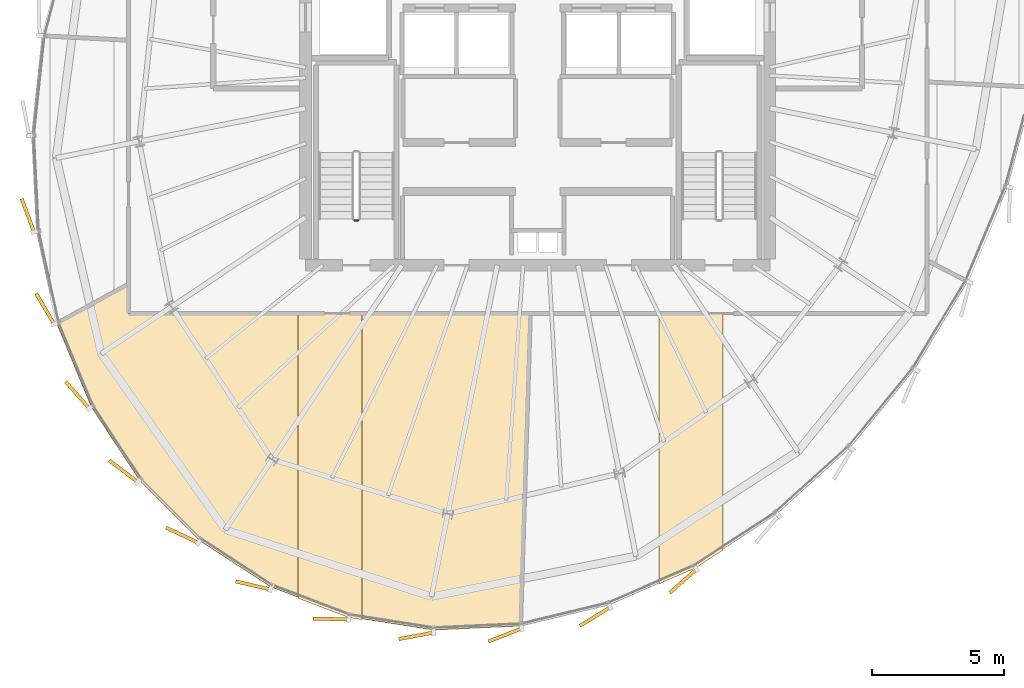
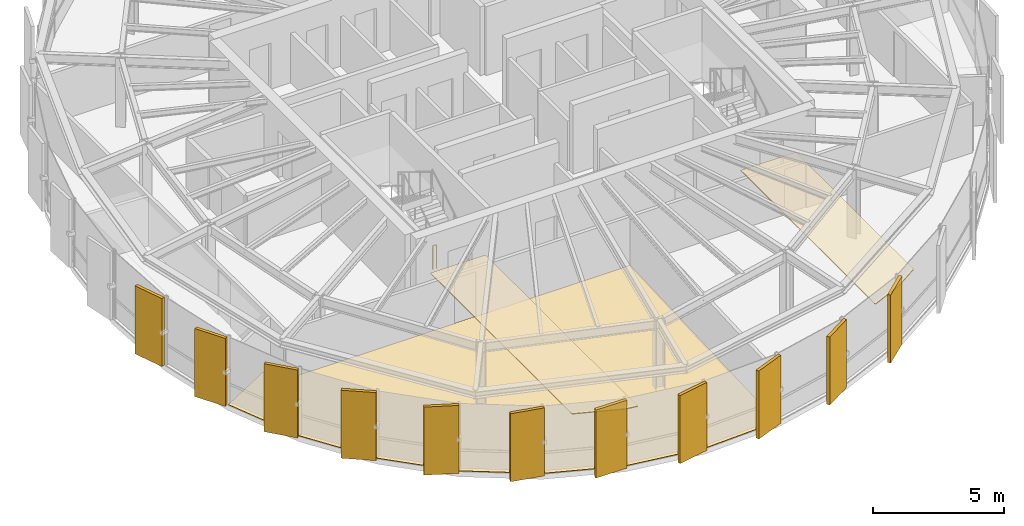
# One storey, part 28 of 31: 14 coverings, 1 railing.
"""IFC4 building model written with IfcOpenShell, lengths in metres."""

from ifc_helpers import new_model, si_unit, direction, frame, origin, origin_2d, place, context, subcontext, project, spatial, polyline, rectangle, circle, outline, extrude, source, transform, mapped, material, layer, layer_set, type_object, element, save


model = new_model("IFC4")

# Units and contexts
model_context = context("Model", 3, precision=1e-05, world=origin(), true_north=direction((0.0, 1.0)))
body_context = subcontext(model_context, "Body", "Model", "MODEL_VIEW")
ifc_project = project(units=[si_unit("LENGTHUNIT", "METRE"), si_unit("AREAUNIT", "SQUARE_METRE"), si_unit("VOLUMEUNIT", "CUBIC_METRE"), si_unit("PLANEANGLEUNIT", "RADIAN"), si_unit("MASSUNIT", "GRAM", prefix="KILO"), si_unit("THERMODYNAMICTEMPERATUREUNIT", "KELVIN")], contexts=[model_context])

# Site, building, storey
site_placement = place(None, origin())
site = spatial("IfcSite", under=ifc_project, at=site_placement, CompositionType="ELEMENT")
building_placement = place(site_placement, origin())
building = spatial("IfcBuilding", under=site, at=building_placement, Name="Kethvar Cultural Tower", CompositionType="ELEMENT")
storey_placement = place(building_placement, frame((0.0, 0.0, 287.050048828125)))
storey = spatial("IfcBuildingStorey", under=building, at=storey_placement, Name="L76", CompositionType="ELEMENT", Elevation=287.050048828125)

# Coverings
ifc_material_1 = material(Name="Acoustic Mineral Fibre Ceiling")
ifc_layer_1 = layer(ifc_material_1, 0.0400390625, Name="Acoustic Mineral Fibre Ceiling")
ifc_layer_set_1 = layer_set([ifc_layer_1], Name="Acoustic Mineral Fibre Ceiling (40 mm)")
covering_type_1 = type_object("IfcCoveringType", Name="CV-ACOUSTIC-CEIL", PredefinedType="CEILING", material=ifc_layer_set_1)
covering_1_placement = place(storey_placement, frame((0.0, 0.0, 2.669921875)))
element("IfcCovering", 1, at=covering_1_placement, inside=storey, type_object=covering_type_1, Name="L76 Room 01 Acoustic Ceiling Panel", PredefinedType="CEILING", context=body_context, shape_type="SweptSolid", body=[
    extrude(outline(polyline([(39.642578125, 6.734619140625), (37.711181640625, 7.471923828125), (37.711181640625, 18.2890625), (40.14111328125, 18.2890625), (40.14111328125, 6.656494140625), (39.642578125, 6.734619140625)])), origin(), (0.0, 0.0, 1.0), 0.0400390625),
])
covering_2_placement = place(storey_placement, frame((0.0, 0.0, 2.669921875)))
element("IfcCovering", 2, at=covering_2_placement, inside=storey, type_object=covering_type_1, Name="L76 Room 02 Acoustic Ceiling Panel", PredefinedType="CEILING", context=body_context, shape_type="SweptSolid", body=[
    extrude(outline(polyline([(52.79150390625, 8.6201171875), (51.390625, 8.006103515625), (51.390625, 18.2890625), (53.82080078125, 18.2890625), (53.82080078125, 9.2919921875), (52.79150390625, 8.6201171875)])), origin(), (0.0, 0.0, 1.0), 0.0400390625),
])
ifc_material_2 = material(Name="Architectural Oak Timber", Category="wood")
ifc_layer_2 = layer(ifc_material_2, 0.02490234375, Name="Architectural Oak Timber", Category="wood")
ifc_layer_set_2 = layer_set([ifc_layer_2], Name="Architectural Oak Timber (25 mm)")
covering_type_2 = type_object("IfcCoveringType", Name="CV-OAK-FLOOR", PredefinedType="FLOORING", material=ifc_layer_set_2)
covering_3_placement = place(storey_placement, origin())
element("IfcCovering", 3, at=covering_3_placement, inside=storey, type_object=covering_type_2, Name="L76 Room 01 Floor Finish", PredefinedType="FLOORING", context=body_context, shape_type="SweptSolid", body=[
    extrude(outline(polyline([(42.851806640625, 6.272705078125), (39.65087890625, 6.773681640625), (36.667236328125, 7.91357421875), (33.99169921875, 9.6572265625), (31.70458984375, 11.952392578125), (29.876220703125, 14.728759765625), (28.56787109375, 17.887451171875), (31.27001953125, 19.353271484375), (31.2880859375, 18.2490234375), (46.501220703125, 18.2490234375), (46.156005859375, 6.42431640625), (42.851806640625, 6.272705078125)])), origin(), (0.0, 0.0, 1.0), 0.02490234375),
])

# Railing
ifc_material_3 = material(Name="Steel S355J2", Category="steel")
railing_type = type_object("IfcRailingType", Name="RL-STAIR-GUARD", PredefinedType="BALUSTRADE", material=ifc_material_3)
railing_placement = place(storey_placement, frame((40.0, 21.800048828125, 0.0)))
element("IfcRailing", 4, at=railing_placement, inside=storey, type_object=railing_type, Name="L76 ST-01 stair guard 4", PredefinedType="BALUSTRADE", context=body_context, shape_type="SweptSolid", body=[
    extrude(circle(Radius=0.02392578125, at=origin_2d()), frame((0.0, 0.0, 1.09619140625), z_axis=(-1.0, 0.0, 0.0), x_axis=(0.0, -1.0, 0.0)), (0.0, 0.0, 1.0), 0.159912109375),
    extrude(circle(Radius=0.02099609375, at=origin_2d()), origin(), (0.0, 0.0, 1.0), 1.072021484375),
    extrude(circle(Radius=0.02099609375, at=origin_2d()), frame((-0.159912109375, 0.0, 0.0)), (0.0, 0.0, 1.0), 1.072021484375),
])

# Coverings
ifc_material_4 = material(Name="Extruded Architectural Terracotta", Category="masonry")
ifc_layer_3 = layer(ifc_material_4, 0.135009765625, Name="Extruded Architectural Terracotta", Category="masonry")
ifc_layer_set_3 = layer_set([ifc_layer_3], Name="Extruded Architectural Terracotta (135 mm)")
covering_type_3 = type_object("IfcCoveringType", Name="Terracotta Facade Fin FIN-03", PredefinedType="CLADDING", material=ifc_layer_set_3)
shared_shape = source(origin(), body_context, "Body", "SweptSolid", [
    extrude(rectangle(XDim=1.35009765625, YDim=0.135009765625, at=origin_2d()), origin(), (0.0, 0.0, 1.0), 3.169921875),
])
for number, where, z_axis, x_axis, name in (
    (5, (27.468505859375, 21.990478515625, 0.02001953125), (0.0, 0.0, 1.0), (-0.347590336971, 0.937646499297, 0.0), "L76 Vertical Terracotta Fin 3.2"),
    (6, (28.1259765625, 18.447509765625, 0.02001953125), (0.0, 0.0, 1.0), (-0.507538362961, 0.861629160442, 0.0), "L76 Vertical Terracotta Fin 3.3"),
    (7, (29.345458984375, 15.181884765625, 0.02001953125), (0.0, 0.0, 1.0), (-0.660919017453, 0.750457228874, 0.0), "L76 Vertical Terracotta Fin 3.4"),
    (8, (31.093994140625, 12.290283203125, 0.02001953125), (0.0, 0.0, 1.0), (-0.797583928825, 0.603207987745, 0.0), "L76 Vertical Terracotta Fin 3.5"),
    (9, (33.323974609375, 9.86083984375, 0.02001953125), (0.0, 0.0, 1.0), (-0.905642821984, 0.424041364714, 0.0), "L76 Vertical Terracotta Fin 3.6"),
    (10, (36.005126953125, 7.958984375, 0.02001953125), (0.0, 0.0, 1.0), (-0.974722214849, 0.223420240532, 0.0), "L76 Vertical Terracotta Fin 4.1"),
    (11, (38.95849609375, 6.685791015625, 0.02001953125), (0.0, 0.0, 1.0), (-0.999876632482, 0.015707317312, 0.0), "L76 Vertical Terracotta Fin 4.2"),
    (12, (42.19091796875, 6.048095703125, 0.02001953125), (0.0, 0.0, 1.0), (-0.982838897713, -0.184465989119, 0.0), "L76 Vertical Terracotta Fin 4.3"),
    (13, (45.566162109375, 6.080078125, 0.02001953125), (0.0, 0.0, 1.0), (-0.930417567982, -0.366501226724, 0.0), "L76 Vertical Terracotta Fin 4.4"),
    (14, (48.97705078125, 6.78076171875, 0.02001953125), (0.0, 0.0, 1.0), (-0.851177750474, -0.524877544859, 0.0), "L76 Vertical Terracotta Fin 4.5"),
    (15, (52.31591796875, 8.125732421875, 0.02001953125), (0.0, 0.0, 1.0), (-0.753104274202, -0.657901172046, 0.0), "L76 Vertical Terracotta Fin 4.6"),
):
    element("IfcCovering", number, at=place(storey_placement, frame(where, z_axis=z_axis, x_axis=x_axis)), inside=storey, type_object=covering_type_3, Name=name, PredefinedType="CLADDING", context=body_context, shape_type="MappedRepresentation", body=[
        mapped(shared_shape, transform((0.0, 0.0, 0.0), scale=1.0)),
    ])

save(model, "model.ifc")
